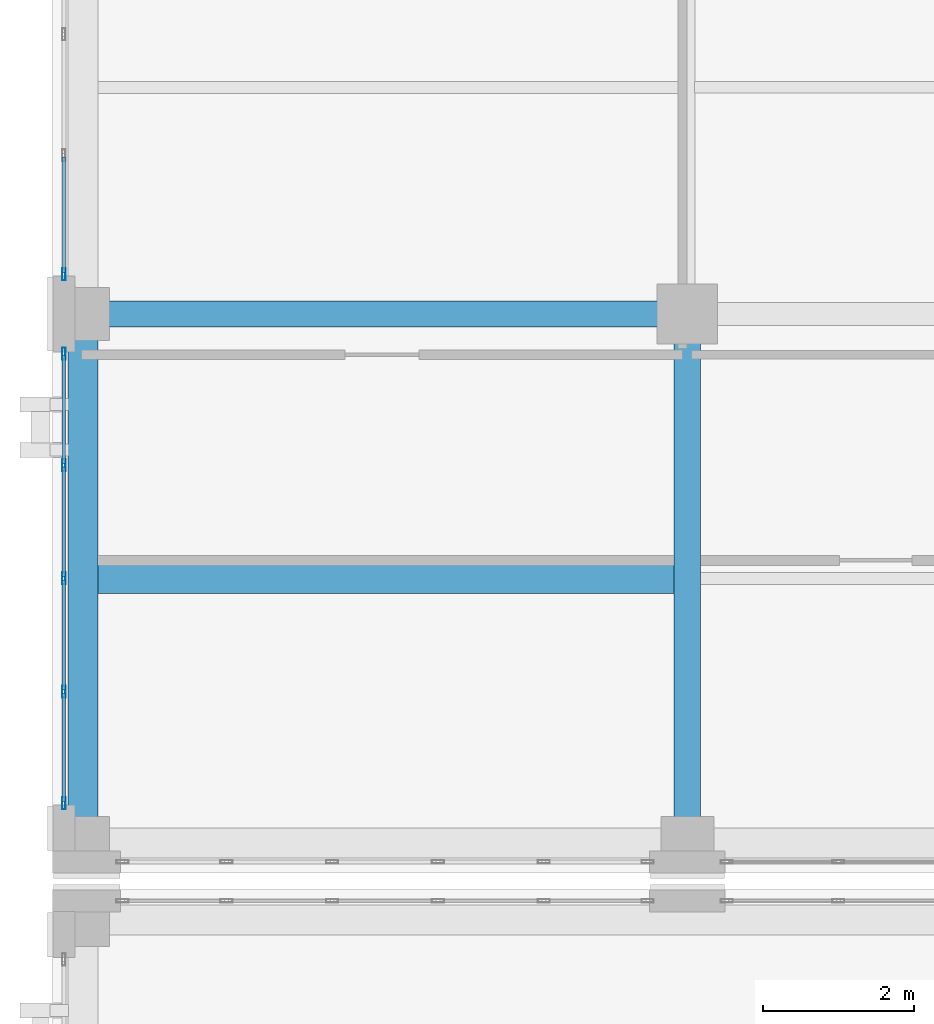
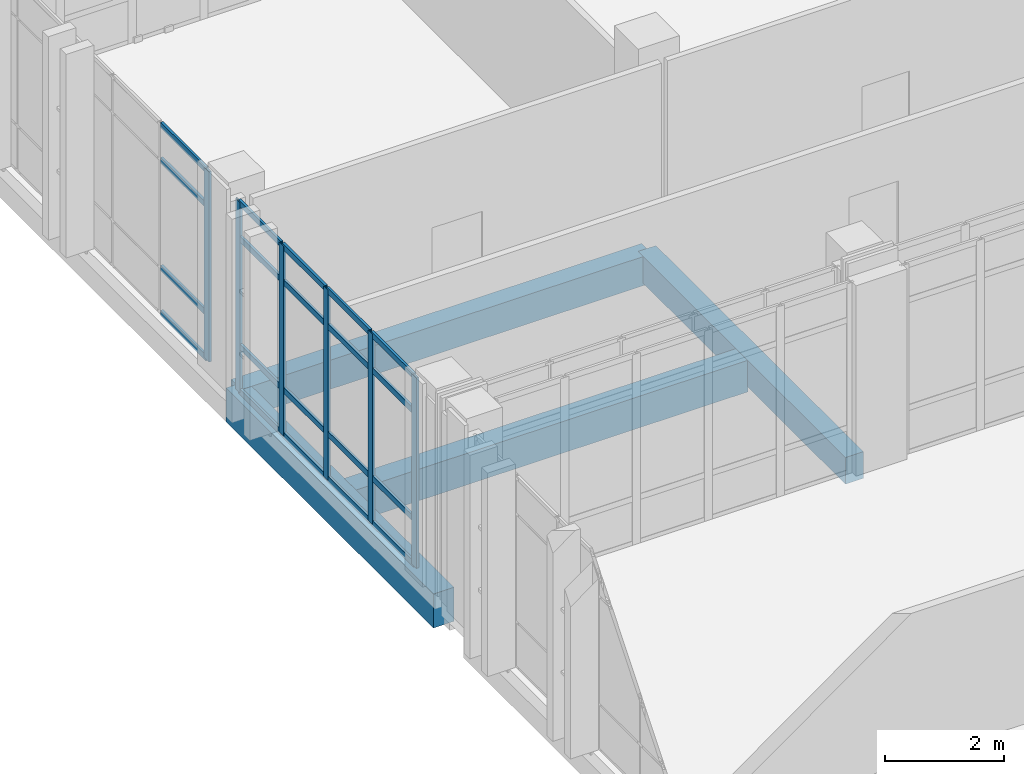
# One storey, part 85 of 165: 26 members, 4 beams, 2 elements without a shape of their own.
"""IFC4 building model written with IfcOpenShell, lengths in metres."""

from ifc_helpers import new_model, si_unit, direction, frame, origin, origin_2d, place, context, subcontext, project, spatial, rectangle, hollow_rectangle, extrude, material, layer, layer_set, material_profile, profile_set, type_object, element, aggregate, save


model = new_model("IFC4")

# Units and contexts
model_context = context("Model", 3, precision=1e-05, world=origin(), true_north=direction((0.0, 1.0)))
body_context = subcontext(model_context, "Body", "Model", "MODEL_VIEW")
ifc_project = project(units=[si_unit("LENGTHUNIT", "METRE"), si_unit("AREAUNIT", "SQUARE_METRE"), si_unit("VOLUMEUNIT", "CUBIC_METRE"), si_unit("PLANEANGLEUNIT", "RADIAN"), si_unit("MASSUNIT", "GRAM", prefix="KILO")], contexts=[model_context])

# Site, building, storey
site_placement = place(None, origin())
site = spatial("IfcSite", under=ifc_project, at=site_placement, CompositionType="ELEMENT")
building_placement = place(site_placement, origin())
building = spatial("IfcBuilding", under=site, at=building_placement, Name="Qalavern Law Courts", CompositionType="ELEMENT")
storey_placement = place(building_placement, frame((0.0, 0.0, 14.39990234375)))
storey = spatial("IfcBuildingStorey", under=building, at=storey_placement, Name="L03", CompositionType="ELEMENT", Elevation=14.39990234375)

# Curtain wall, member
ifc_material_1 = material(Name="Anodised aluminium and insulated glazing", Category="aluminium")
ifc_layer = layer(ifc_material_1, 0.166015625)
ifc_layer_set = layer_set([ifc_layer], Name="Anodised aluminium and insulated glazing")
curtain_wall_type = type_object("IfcCurtainWallType", Name="ENV-CW-LIB", PredefinedType="USERDEFINED", material=ifc_layer_set)
curtain_wall_1_placement = place(storey_placement, origin())
curtain_wall_1 = element("IfcCurtainWall", 1, at=curtain_wall_1_placement, inside=storey, type_object=curtain_wall_type, Name="V5 unitised curtain wall L03 west 1", ObjectType="UNITISED CURTAIN WALL", PredefinedType="USERDEFINED")
ifc_material_2 = material(Name="Anodised aluminium", Category="aluminium")
ifc_material_profile_1 = material_profile(ifc_material_2, hollow_rectangle(XDim=0.048095703125, YDim=0.159912109375, WallThickness=0.00390625, at=origin_2d()), Name="ALU MULLION 48x160")
ifc_profile_set_1 = profile_set([ifc_material_profile_1], Name="Anodised aluminium")
member_type_1 = type_object("IfcMemberType", Name="ENV-CWM-48x160", PredefinedType="MULLION", material=ifc_profile_set_1)
member_1_placement = place(storey_placement, frame((2.1474609375, 104.1240234375, 0.0), z_axis=(0.0, 0.0, 1.0), x_axis=(1.0, 0.0, 0.0)))
member_1 = element("IfcMember", 2, at=member_1_placement, type_object=member_type_1, Name="CW-05 mullion 6", PredefinedType="MULLION", context=body_context, shape_type="SweptSolid", body=[
    extrude(hollow_rectangle(XDim=0.048095703125, YDim=0.159912109375, WallThickness=0.00390625, at=origin_2d()), origin(), (0.0, 0.0, 1.0), 3.920166015625),
])

# Curtain wall, members
curtain_wall_2_placement = place(storey_placement, origin())
curtain_wall_2 = element("IfcCurtainWall", 3, at=curtain_wall_2_placement, inside=storey, type_object=curtain_wall_type, Name="V5 unitised curtain wall L03 west 2", ObjectType="UNITISED CURTAIN WALL", PredefinedType="USERDEFINED")
member_2_placement = place(storey_placement, frame((2.1474609375, 103.075927734375, 0.0), z_axis=(0.0, 0.0, 1.0), x_axis=(1.0, 0.0, 0.0)))
member_2 = element("IfcMember", 4, at=member_2_placement, type_object=member_type_1, Name="CW-05 mullion 1", PredefinedType="MULLION", context=body_context, shape_type="SweptSolid", body=[
    extrude(hollow_rectangle(XDim=0.048095703125, YDim=0.159912109375, WallThickness=0.00390625, at=origin_2d()), origin(), (0.0, 0.0, 1.0), 3.920166015625),
])
member_3_placement = place(storey_placement, frame((2.1474609375, 101.60009765625, 0.0), z_axis=(0.0, 0.0, 1.0), x_axis=(1.0, 0.0, 0.0)))
member_3 = element("IfcMember", 5, at=member_3_placement, type_object=member_type_1, Name="CW-05 mullion 2", PredefinedType="MULLION", context=body_context, shape_type="SweptSolid", body=[
    extrude(hollow_rectangle(XDim=0.048095703125, YDim=0.159912109375, WallThickness=0.00390625, at=origin_2d()), origin(), (0.0, 0.0, 1.0), 3.920166015625),
])
member_4_placement = place(storey_placement, frame((2.1474609375, 100.10009765625, 0.0), z_axis=(0.0, 0.0, 1.0), x_axis=(1.0, 0.0, 0.0)))
member_4 = element("IfcMember", 6, at=member_4_placement, type_object=member_type_1, Name="CW-05 mullion 3", PredefinedType="MULLION", context=body_context, shape_type="SweptSolid", body=[
    extrude(hollow_rectangle(XDim=0.048095703125, YDim=0.159912109375, WallThickness=0.00390625, at=origin_2d()), origin(), (0.0, 0.0, 1.0), 3.920166015625),
])
member_5_placement = place(storey_placement, frame((2.1474609375, 98.60009765625, 0.0), z_axis=(0.0, 0.0, 1.0), x_axis=(1.0, 0.0, 0.0)))
member_5 = element("IfcMember", 7, at=member_5_placement, type_object=member_type_1, Name="CW-05 mullion 4", PredefinedType="MULLION", context=body_context, shape_type="SweptSolid", body=[
    extrude(hollow_rectangle(XDim=0.048095703125, YDim=0.159912109375, WallThickness=0.00390625, at=origin_2d()), origin(), (0.0, 0.0, 1.0), 3.920166015625),
])
member_6_placement = place(storey_placement, frame((2.1474609375, 97.1240234375, 0.0), z_axis=(0.0, 0.0, 1.0), x_axis=(1.0, 0.0, 0.0)))
member_6 = element("IfcMember", 8, at=member_6_placement, type_object=member_type_1, Name="CW-05 mullion 5", PredefinedType="MULLION", context=body_context, shape_type="SweptSolid", body=[
    extrude(hollow_rectangle(XDim=0.048095703125, YDim=0.159912109375, WallThickness=0.00390625, at=origin_2d()), origin(), (0.0, 0.0, 1.0), 3.920166015625),
])

# Member
ifc_material_profile_2 = material_profile(ifc_material_2, hollow_rectangle(XDim=0.048095703125, YDim=0.1201171875, WallThickness=0.00390625, at=origin_2d()), Name="ALU TRANSOM 48x120")
ifc_profile_set_2 = profile_set([ifc_material_profile_2], Name="Anodised aluminium")
member_type_2 = type_object("IfcMemberType", Name="ENV-CWT-48x120", PredefinedType="USERDEFINED", material=ifc_profile_set_2)
member_7_placement = place(storey_placement, frame((2.1474609375, 105.676025390625, 0.024169921875), z_axis=(0.0, -1.0, 0.0), x_axis=(1.0, 0.0, 0.0)))
member_7 = element("IfcMember", 9, at=member_7_placement, type_object=member_type_2, Name="CW-05 transom 5.1", ObjectType="TRANSOM", PredefinedType="USERDEFINED", context=body_context, shape_type="SweptSolid", body=[
    extrude(hollow_rectangle(XDim=0.048095703125, YDim=0.1201171875, WallThickness=0.00390625, at=origin_2d()), origin(), (0.0, 0.0, 1.0), 1.528076171875),
])

member_8_placement = place(storey_placement, frame((2.1474609375, 105.676025390625, 0.9501953125), z_axis=(0.0, -1.0, 0.0), x_axis=(1.0, 0.0, 0.0)))
member_8 = element("IfcMember", 10, at=member_8_placement, type_object=member_type_2, Name="CW-05 transom 5.2", ObjectType="TRANSOM", PredefinedType="USERDEFINED", context=body_context, shape_type="SweptSolid", body=[
    extrude(hollow_rectangle(XDim=0.048095703125, YDim=0.1201171875, WallThickness=0.00390625, at=origin_2d()), origin(), (0.0, 0.0, 1.0), 1.528076171875),
])

member_9_placement = place(storey_placement, frame((2.1474609375, 105.676025390625, 3.170166015625), z_axis=(0.0, -1.0, 0.0), x_axis=(1.0, 0.0, 0.0)))
member_9 = element("IfcMember", 11, at=member_9_placement, type_object=member_type_2, Name="CW-05 transom 5.3", ObjectType="TRANSOM", PredefinedType="USERDEFINED", context=body_context, shape_type="SweptSolid", body=[
    extrude(hollow_rectangle(XDim=0.048095703125, YDim=0.1201171875, WallThickness=0.00390625, at=origin_2d()), origin(), (0.0, 0.0, 1.0), 1.528076171875),
])

member_10_placement = place(storey_placement, frame((2.1474609375, 105.676025390625, 3.89599609375), z_axis=(0.0, -1.0, 0.0), x_axis=(1.0, 0.0, 0.0)))
member_10 = element("IfcMember", 12, at=member_10_placement, type_object=member_type_2, Name="CW-05 transom 5.4", ObjectType="TRANSOM", PredefinedType="USERDEFINED", context=body_context, shape_type="SweptSolid", body=[
    extrude(hollow_rectangle(XDim=0.048095703125, YDim=0.1201171875, WallThickness=0.00390625, at=origin_2d()), origin(), (0.0, 0.0, 1.0), 1.528076171875),
])

aggregate(curtain_wall_1, [member_1, member_7, member_8, member_9, member_10])

member_11_placement = place(storey_placement, frame((2.1474609375, 103.052001953125, 0.024169921875), z_axis=(0.0, -1.0, 0.0), x_axis=(1.0, 0.0, 0.0)))
member_11 = element("IfcMember", 13, at=member_11_placement, type_object=member_type_2, Name="CW-05 transom 1.1", ObjectType="TRANSOM", PredefinedType="USERDEFINED", context=body_context, shape_type="SweptSolid", body=[
    extrude(hollow_rectangle(XDim=0.048095703125, YDim=0.1201171875, WallThickness=0.00390625, at=origin_2d()), origin(), (0.0, 0.0, 1.0), 1.427978515625),
])

member_12_placement = place(storey_placement, frame((2.1474609375, 103.052001953125, 0.9501953125), z_axis=(0.0, -1.0, 0.0), x_axis=(1.0, 0.0, 0.0)))
member_12 = element("IfcMember", 14, at=member_12_placement, type_object=member_type_2, Name="CW-05 transom 1.2", ObjectType="TRANSOM", PredefinedType="USERDEFINED", context=body_context, shape_type="SweptSolid", body=[
    extrude(hollow_rectangle(XDim=0.048095703125, YDim=0.1201171875, WallThickness=0.00390625, at=origin_2d()), origin(), (0.0, 0.0, 1.0), 1.427978515625),
])

member_13_placement = place(storey_placement, frame((2.1474609375, 103.052001953125, 3.170166015625), z_axis=(0.0, -1.0, 0.0), x_axis=(1.0, 0.0, 0.0)))
member_13 = element("IfcMember", 15, at=member_13_placement, type_object=member_type_2, Name="CW-05 transom 1.3", ObjectType="TRANSOM", PredefinedType="USERDEFINED", context=body_context, shape_type="SweptSolid", body=[
    extrude(hollow_rectangle(XDim=0.048095703125, YDim=0.1201171875, WallThickness=0.00390625, at=origin_2d()), origin(), (0.0, 0.0, 1.0), 1.427978515625),
])

member_14_placement = place(storey_placement, frame((2.1474609375, 103.052001953125, 3.89599609375), z_axis=(0.0, -1.0, 0.0), x_axis=(1.0, 0.0, 0.0)))
member_14 = element("IfcMember", 16, at=member_14_placement, type_object=member_type_2, Name="CW-05 transom 1.4", ObjectType="TRANSOM", PredefinedType="USERDEFINED", context=body_context, shape_type="SweptSolid", body=[
    extrude(hollow_rectangle(XDim=0.048095703125, YDim=0.1201171875, WallThickness=0.00390625, at=origin_2d()), origin(), (0.0, 0.0, 1.0), 1.427978515625),
])

member_15_placement = place(storey_placement, frame((2.1474609375, 101.575927734375, 0.024169921875), z_axis=(0.0, -1.0, 0.0), x_axis=(1.0, 0.0, 0.0)))
member_15 = element("IfcMember", 17, at=member_15_placement, type_object=member_type_2, Name="CW-05 transom 2.1", ObjectType="TRANSOM", PredefinedType="USERDEFINED", context=body_context, shape_type="SweptSolid", body=[
    extrude(hollow_rectangle(XDim=0.048095703125, YDim=0.1201171875, WallThickness=0.00390625, at=origin_2d()), origin(), (0.0, 0.0, 1.0), 1.451904296875),
])

member_16_placement = place(storey_placement, frame((2.1474609375, 101.575927734375, 0.9501953125), z_axis=(0.0, -1.0, 0.0), x_axis=(1.0, 0.0, 0.0)))
member_16 = element("IfcMember", 18, at=member_16_placement, type_object=member_type_2, Name="CW-05 transom 2.2", ObjectType="TRANSOM", PredefinedType="USERDEFINED", context=body_context, shape_type="SweptSolid", body=[
    extrude(hollow_rectangle(XDim=0.048095703125, YDim=0.1201171875, WallThickness=0.00390625, at=origin_2d()), origin(), (0.0, 0.0, 1.0), 1.451904296875),
])

member_17_placement = place(storey_placement, frame((2.1474609375, 101.575927734375, 3.170166015625), z_axis=(0.0, -1.0, 0.0), x_axis=(1.0, 0.0, 0.0)))
member_17 = element("IfcMember", 19, at=member_17_placement, type_object=member_type_2, Name="CW-05 transom 2.3", ObjectType="TRANSOM", PredefinedType="USERDEFINED", context=body_context, shape_type="SweptSolid", body=[
    extrude(hollow_rectangle(XDim=0.048095703125, YDim=0.1201171875, WallThickness=0.00390625, at=origin_2d()), origin(), (0.0, 0.0, 1.0), 1.451904296875),
])

member_18_placement = place(storey_placement, frame((2.1474609375, 101.575927734375, 3.89599609375), z_axis=(0.0, -1.0, 0.0), x_axis=(1.0, 0.0, 0.0)))
member_18 = element("IfcMember", 20, at=member_18_placement, type_object=member_type_2, Name="CW-05 transom 2.4", ObjectType="TRANSOM", PredefinedType="USERDEFINED", context=body_context, shape_type="SweptSolid", body=[
    extrude(hollow_rectangle(XDim=0.048095703125, YDim=0.1201171875, WallThickness=0.00390625, at=origin_2d()), origin(), (0.0, 0.0, 1.0), 1.451904296875),
])

member_19_placement = place(storey_placement, frame((2.1474609375, 100.075927734375, 0.024169921875), z_axis=(0.0, -1.0, 0.0), x_axis=(1.0, 0.0, 0.0)))
member_19 = element("IfcMember", 21, at=member_19_placement, type_object=member_type_2, Name="CW-05 transom 3.1", ObjectType="TRANSOM", PredefinedType="USERDEFINED", context=body_context, shape_type="SweptSolid", body=[
    extrude(hollow_rectangle(XDim=0.048095703125, YDim=0.1201171875, WallThickness=0.00390625, at=origin_2d()), origin(), (0.0, 0.0, 1.0), 1.451904296875),
])

member_20_placement = place(storey_placement, frame((2.1474609375, 100.075927734375, 0.9501953125), z_axis=(0.0, -1.0, 0.0), x_axis=(1.0, 0.0, 0.0)))
member_20 = element("IfcMember", 22, at=member_20_placement, type_object=member_type_2, Name="CW-05 transom 3.2", ObjectType="TRANSOM", PredefinedType="USERDEFINED", context=body_context, shape_type="SweptSolid", body=[
    extrude(hollow_rectangle(XDim=0.048095703125, YDim=0.1201171875, WallThickness=0.00390625, at=origin_2d()), origin(), (0.0, 0.0, 1.0), 1.451904296875),
])

member_21_placement = place(storey_placement, frame((2.1474609375, 100.075927734375, 3.170166015625), z_axis=(0.0, -1.0, 0.0), x_axis=(1.0, 0.0, 0.0)))
member_21 = element("IfcMember", 23, at=member_21_placement, type_object=member_type_2, Name="CW-05 transom 3.3", ObjectType="TRANSOM", PredefinedType="USERDEFINED", context=body_context, shape_type="SweptSolid", body=[
    extrude(hollow_rectangle(XDim=0.048095703125, YDim=0.1201171875, WallThickness=0.00390625, at=origin_2d()), origin(), (0.0, 0.0, 1.0), 1.451904296875),
])

member_22_placement = place(storey_placement, frame((2.1474609375, 100.075927734375, 3.89599609375), z_axis=(0.0, -1.0, 0.0), x_axis=(1.0, 0.0, 0.0)))
member_22 = element("IfcMember", 24, at=member_22_placement, type_object=member_type_2, Name="CW-05 transom 3.4", ObjectType="TRANSOM", PredefinedType="USERDEFINED", context=body_context, shape_type="SweptSolid", body=[
    extrude(hollow_rectangle(XDim=0.048095703125, YDim=0.1201171875, WallThickness=0.00390625, at=origin_2d()), origin(), (0.0, 0.0, 1.0), 1.451904296875),
])

member_23_placement = place(storey_placement, frame((2.1474609375, 98.575927734375, 0.024169921875), z_axis=(0.0, -1.0, 0.0), x_axis=(1.0, 0.0, 0.0)))
member_23 = element("IfcMember", 25, at=member_23_placement, type_object=member_type_2, Name="CW-05 transom 4.1", ObjectType="TRANSOM", PredefinedType="USERDEFINED", context=body_context, shape_type="SweptSolid", body=[
    extrude(hollow_rectangle(XDim=0.048095703125, YDim=0.1201171875, WallThickness=0.00390625, at=origin_2d()), origin(), (0.0, 0.0, 1.0), 1.427978515625),
])

member_24_placement = place(storey_placement, frame((2.1474609375, 98.575927734375, 0.9501953125), z_axis=(0.0, -1.0, 0.0), x_axis=(1.0, 0.0, 0.0)))
member_24 = element("IfcMember", 26, at=member_24_placement, type_object=member_type_2, Name="CW-05 transom 4.2", ObjectType="TRANSOM", PredefinedType="USERDEFINED", context=body_context, shape_type="SweptSolid", body=[
    extrude(hollow_rectangle(XDim=0.048095703125, YDim=0.1201171875, WallThickness=0.00390625, at=origin_2d()), origin(), (0.0, 0.0, 1.0), 1.427978515625),
])

member_25_placement = place(storey_placement, frame((2.1474609375, 98.575927734375, 3.170166015625), z_axis=(0.0, -1.0, 0.0), x_axis=(1.0, 0.0, 0.0)))
member_25 = element("IfcMember", 27, at=member_25_placement, type_object=member_type_2, Name="CW-05 transom 4.3", ObjectType="TRANSOM", PredefinedType="USERDEFINED", context=body_context, shape_type="SweptSolid", body=[
    extrude(hollow_rectangle(XDim=0.048095703125, YDim=0.1201171875, WallThickness=0.00390625, at=origin_2d()), origin(), (0.0, 0.0, 1.0), 1.427978515625),
])

member_26_placement = place(storey_placement, frame((2.1474609375, 98.575927734375, 3.89599609375), z_axis=(0.0, -1.0, 0.0), x_axis=(1.0, 0.0, 0.0)))
member_26 = element("IfcMember", 28, at=member_26_placement, type_object=member_type_2, Name="CW-05 transom 4.4", ObjectType="TRANSOM", PredefinedType="USERDEFINED", context=body_context, shape_type="SweptSolid", body=[
    extrude(hollow_rectangle(XDim=0.048095703125, YDim=0.1201171875, WallThickness=0.00390625, at=origin_2d()), origin(), (0.0, 0.0, 1.0), 1.427978515625),
])

aggregate(curtain_wall_2, [member_2, member_3, member_4, member_5, member_6, member_11, member_12, member_13, member_14, member_15, member_16, member_17, member_18, member_19, member_20, member_21, member_22, member_23, member_24, member_25, member_26])

# Beams
ifc_material_3 = material(Name="Concrete C35/45", Category="concrete")
ifc_material_profile_3 = material_profile(ifc_material_3, rectangle(XDim=0.35009765625, YDim=0.550048828125, at=origin_2d()), Name="RC 350x550")
ifc_profile_set_3 = profile_set([ifc_material_profile_3], Name="Concrete C35/45")
beam_type_1 = type_object("IfcBeamType", Name="STR-BM-RC350x550", PredefinedType="BEAM", material=ifc_profile_set_3)
beam_1_placement = place(storey_placement, frame((10.39990234375, 96.60009765625, -0.559814453125), z_axis=(0.0, 1.0, 0.0), x_axis=(-1.0, 0.0, 0.0)))
element("IfcBeam", 29, at=beam_1_placement, inside=storey, type_object=beam_type_1, Name="V5 Y-beam 2-1 L03", PredefinedType="BEAM", context=body_context, shape_type="SweptSolid", body=[
    extrude(rectangle(XDim=0.35009765625, YDim=0.550048828125, at=origin_2d()), origin(), (0.0, 0.0, 1.0), 7.0),
])
ifc_material_profile_4 = material_profile(ifc_material_3, rectangle(XDim=0.35009765625, YDim=0.60009765625, at=origin_2d()), Name="RC 350x600")
ifc_profile_set_4 = profile_set([ifc_material_profile_4], Name="Concrete C35/45")
beam_type_2 = type_object("IfcBeamType", Name="STR-BM-RC350x600", PredefinedType="BEAM", material=ifc_profile_set_4)
beam_2_placement = place(storey_placement, frame((2.39990234375, 103.60009765625, -0.5849609375), z_axis=(1.0, 0.0, 0.0), x_axis=(0.0, 1.0, 0.0)))
element("IfcBeam", 30, at=beam_2_placement, inside=storey, type_object=beam_type_2, Name="V5 X-beam 2-1 L03", PredefinedType="BEAM", context=body_context, shape_type="SweptSolid", body=[
    extrude(rectangle(XDim=0.35009765625, YDim=0.60009765625, at=origin_2d()), origin(), (0.0, 0.0, 1.0), 8.0),
])
ifc_material_profile_5 = material_profile(ifc_material_3, rectangle(XDim=0.39990234375, YDim=0.64990234375, at=origin_2d()), Name="RC 400x650")
ifc_profile_set_5 = profile_set([ifc_material_profile_5], Name="Concrete C35/45")
beam_type_3 = type_object("IfcBeamType", Name="STR-JST-RC400x650", PredefinedType="JOIST", material=ifc_profile_set_5)
beam_3_placement = place(storey_placement, frame((2.597900390625, 100.10009765625, -0.60986328125), z_axis=(1.0, 0.0, 0.0), x_axis=(0.0, 1.0, 0.0)))
element("IfcBeam", 31, at=beam_3_placement, inside=storey, type_object=beam_type_3, Name="V5 secondary joist 1.1.1 L03", PredefinedType="JOIST", context=body_context, shape_type="SweptSolid", body=[
    extrude(rectangle(XDim=0.39990234375, YDim=0.64990234375, at=origin_2d()), origin(), (0.0, 0.0, 1.0), 7.629150390625),
])
ifc_material_4 = material(Name="Concrete C40/50", Category="concrete")
ifc_material_profile_6 = material_profile(ifc_material_4, rectangle(XDim=0.39990234375, YDim=0.699951171875, at=origin_2d()), Name="RC 400x700")
ifc_profile_set_6 = profile_set([ifc_material_profile_6], Name="Concrete C40/50")
beam_type_4 = type_object("IfcBeamType", Name="STR-SP-RC400x700", PredefinedType="SPANDREL", material=ifc_profile_set_6)
beam_4_placement = place(storey_placement, frame((2.39990234375, 96.60009765625, -0.635009765625), z_axis=(0.0, 1.0, 0.0), x_axis=(-1.0, 0.0, 0.0)))
element("IfcBeam", 32, at=beam_4_placement, inside=storey, type_object=beam_type_4, Name="V5 Y-beam 1-1 L03", PredefinedType="SPANDREL", context=body_context, shape_type="SweptSolid", body=[
    extrude(rectangle(XDim=0.39990234375, YDim=0.699951171875, at=origin_2d()), origin(), (0.0, 0.0, 1.0), 7.0),
])

save(model, "model.ifc")
